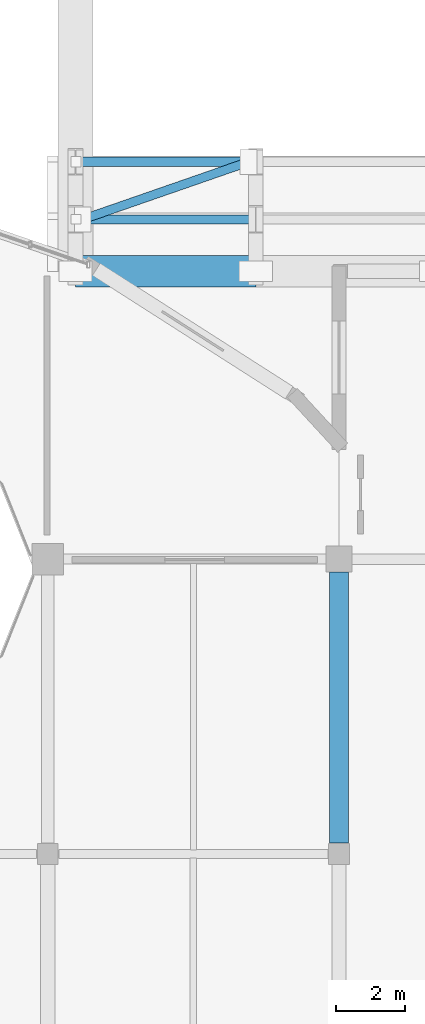
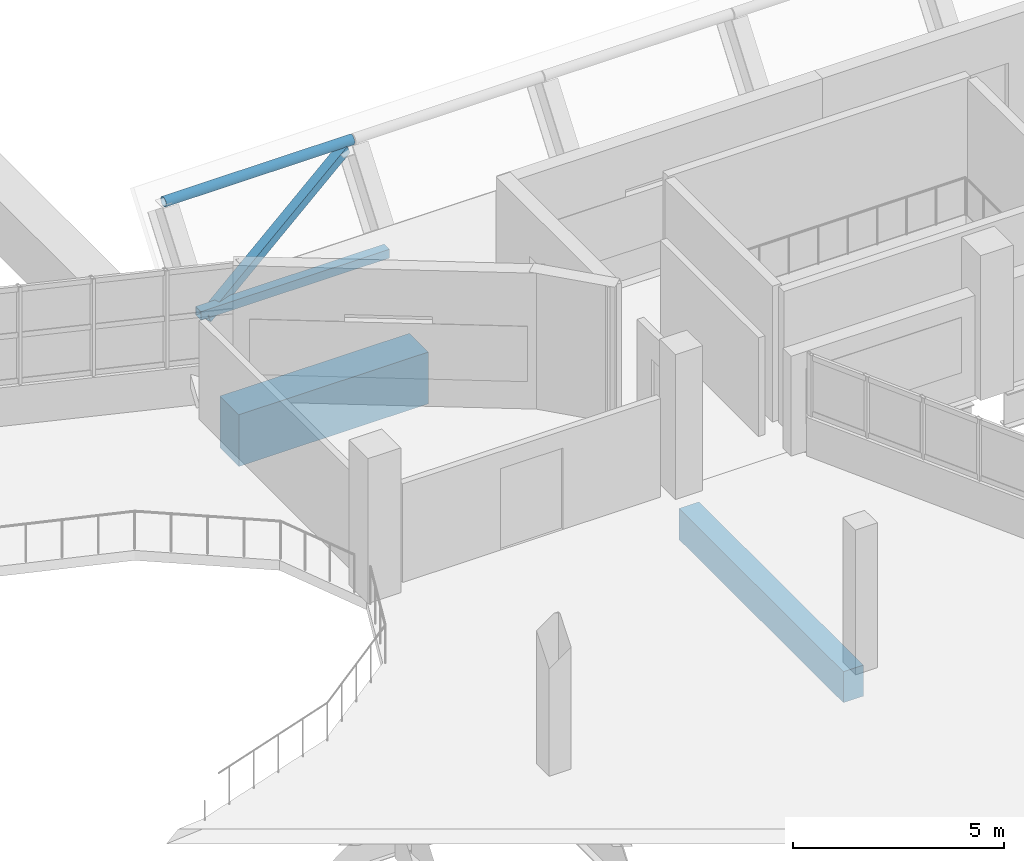
# One storey, part 27 of 52: 3 members, 2 beams.
"""IFC4 building model written with IfcOpenShell, lengths in metres."""

import ifcopenshell
import ifcopenshell.guid

model = None  # the IFC model being written
_history = None  # IfcOwnerHistory: only IFC2X3 demands one
_inside = {}  # id of a spatial element -> (the spatial element, [elements in it])
_under = {}  # id of a project, library or spatial element -> (it, [spatial elements below it])
_declared = {}  # id of a project -> (the project, [libraries it declares])
_typed = {}  # id of a type object -> (the type object, [elements of that type])
_made_of = {}  # id of a material, layer set ... -> (it, [elements and type objects made of it])


def new_model(schema):
    """Start an empty IFC model of exactly this schema.

    Asked for "IFC4X3", IfcOpenShell would pick the latest addendum, in which some entities
    have other attributes; the version numbers below select the first issue.
    IFC2X3 requires an IfcOwnerHistory on every rooted entity: one is made here for all.
    """
    global model, _history
    if schema == "IFC4X3":
        model = ifcopenshell.file(schema_version=(4, 3, 0, 0))
    else:
        model = ifcopenshell.file(schema=schema)
    _inside.clear()
    _under.clear()
    _declared.clear()
    _typed.clear()
    _made_of.clear()
    _history = None
    if model.schema == "IFC2X3":
        org = make("IfcOrganization", Name="unknown")
        user = make(
            "IfcPersonAndOrganization",
            ThePerson=make("IfcPerson", FamilyName="unknown"),
            TheOrganization=org,
        )
        app = make(
            "IfcApplication",
            ApplicationDeveloper=org,
            Version="unknown",
            ApplicationFullName="unknown",
            ApplicationIdentifier="unknown",
        )
        _history = make(
            "IfcOwnerHistory",
            OwningUser=user,
            OwningApplication=app,
            ChangeAction="ADDED",
            CreationDate=0,
        )
    return model


def make(cls, **values):
    """One entity of the class cls with the attributes given. An attribute that is None is left unset."""
    return model.create_entity(
        cls, **{name: value for name, value in values.items() if value is not None}
    )


def rooted(cls, **values):
    """An entity with a GlobalId (a new one), such as an element, a storey or a relation."""
    return make(cls, GlobalId=ifcopenshell.guid.new(), OwnerHistory=_history, **values)


def si_unit(unit_type, name, prefix=None):
    """IfcSIUnit, for example si_unit("LENGTHUNIT", "METRE", prefix="MILLI")."""
    return make("IfcSIUnit", UnitType=unit_type, Prefix=prefix, Name=name)


def assignment(units):
    """IfcUnitAssignment: the units of a project."""
    return None if units is None else make("IfcUnitAssignment", Units=units)


def point(xyz):
    """IfcCartesianPoint."""
    return None if xyz is None else make("IfcCartesianPoint", Coordinates=xyz)


def direction(xyz):
    """IfcDirection."""
    return None if xyz is None else make("IfcDirection", DirectionRatios=xyz)


def frame(location, z_axis=None, x_axis=None):
    """IfcAxis2Placement3D, a coordinate frame: its origin and axes. An axis left out is left unset."""
    return make(
        "IfcAxis2Placement3D",
        Location=point(location),
        Axis=direction(z_axis),
        RefDirection=direction(x_axis),
    )


def frame_2d(location, x_axis=None):
    """IfcAxis2Placement2D, a coordinate frame in the plane: its origin and x axis."""
    return make(
        "IfcAxis2Placement2D", Location=point(location), RefDirection=direction(x_axis)
    )


def origin():
    """The frame at (0, 0, 0) with its axes left unset."""
    return frame((0.0, 0.0, 0.0))


def origin_2d():
    """The frame at (0, 0) in the plane with its x axis left unset."""
    return frame_2d((0.0, 0.0))


def place(relative_to, where):
    """IfcLocalPlacement: puts the frame where relative to a parent placement (None: the world)."""
    return make(
        "IfcLocalPlacement", PlacementRelTo=relative_to, RelativePlacement=where
    )


def context(
    kind, dimensions, precision=None, world=None, true_north=None, identifier=None
):
    """IfcGeometricRepresentationContext, for example the 3D "Model" context."""
    return make(
        "IfcGeometricRepresentationContext",
        ContextIdentifier=identifier,
        ContextType=kind,
        CoordinateSpaceDimension=dimensions,
        Precision=precision,
        WorldCoordinateSystem=world,
        TrueNorth=true_north,
    )


def subcontext(parent, identifier, kind, view, scale=None):
    """IfcGeometricRepresentationSubContext, for example "Body" below "Model"."""
    return make(
        "IfcGeometricRepresentationSubContext",
        ContextIdentifier=identifier,
        ContextType=kind,
        ParentContext=parent,
        TargetScale=scale,
        TargetView=view,
    )


def project(units=None, contexts=None):
    """IfcProject with its units and contexts."""
    return rooted(
        "IfcProject",
        Name="project",
        RepresentationContexts=contexts,
        UnitsInContext=assignment(units),
    )


def spatial(cls, under=None, at=None, **own):
    """A site, building, storey or space (cls), placed at a placement, below another one or the project."""
    s = rooted(cls, ObjectPlacement=at, **own)
    if under is not None:
        _under.setdefault(under.id(), (under, []))[1].append(s)
    return s


def profile(cls, at=None, kind="AREA", **sizes):
    """A parametric profile (cls). Its sizes go by their IFC names, for example OverallWidth=200.0."""
    return make(cls, ProfileType=kind, Position=at, **sizes)


def rectangle(**sizes):
    """IfcRectangleProfileDef."""
    return profile("IfcRectangleProfileDef", **sizes)


def hollow_rectangle(**sizes):
    """IfcRectangleHollowProfileDef."""
    return profile("IfcRectangleHollowProfileDef", **sizes)


def hollow_circle(**sizes):
    """IfcCircleHollowProfileDef."""
    return profile("IfcCircleHollowProfileDef", **sizes)


def extrude(swept, where, along, depth):
    """IfcExtrudedAreaSolid: the profile swept, set in the frame where, extruded along a direction by depth."""
    return make(
        "IfcExtrudedAreaSolid",
        SweptArea=swept,
        Position=where,
        ExtrudedDirection=direction(along),
        Depth=depth,
    )


def shape(context_of_items, identifier, shape_type, items):
    """IfcShapeRepresentation: the items that make up one representation, for example the "Body"."""
    return make(
        "IfcShapeRepresentation",
        ContextOfItems=context_of_items,
        RepresentationIdentifier=identifier,
        RepresentationType=shape_type,
        Items=items,
    )


def material(Name=None, Category=None):
    """IfcMaterial."""
    return make("IfcMaterial", Name=Name, Category=Category)


def material_profile(
    of_material, cross_section, Name=None, Category=None, Priority=None
):
    """IfcMaterialProfile: a cross section and its material."""
    return make(
        "IfcMaterialProfile",
        Name=Name,
        Material=of_material,
        Profile=cross_section,
        Priority=Priority,
        Category=Category,
    )


def profile_set(profiles, Name=None, composite=None):
    """IfcMaterialProfileSet."""
    return make(
        "IfcMaterialProfileSet",
        Name=Name,
        MaterialProfiles=profiles,
        CompositeProfile=composite,
    )


def made_of(thing, what):
    """Note that an element or type object is made of a material, layer set ...; save() writes the relation."""
    if what is not None:
        _made_of.setdefault(what.id(), (what, []))[1].append(thing)
    return thing


def type_object(cls, material=None, **own):
    """A type object (cls), such as IfcWallType, which elements share."""
    return made_of(rooted(cls, **own), material)


def element(
    cls,
    number,
    at=None,
    inside=None,
    cuts=None,
    type_object=None,
    material=None,
    context=None,
    identifier="Body",
    shape_type=None,
    held_by="IfcProductDefinitionShape",
    body=None,
    shapes=None,
    **own,
):
    """One element of the class cls, such as IfcWall. Its Tag is "e" and its number.

    at: its placement. inside: the storey or other place that contains it. cuts: it is an
    opening in that element (IfcRelVoidsElement). A single representation is given by context,
    identifier, shape_type and body (its items); several are given by shapes. held_by: the class
    of the entity that holds the representations. save() writes the other relations.
    """
    e = rooted(cls, Tag="e%d" % number, ObjectPlacement=at, **own)
    if body is not None:
        shapes = [shape(context, identifier, shape_type, body)]
    if shapes is not None:
        e.Representation = make(held_by, Representations=shapes)
    if inside is not None:
        _inside.setdefault(inside.id(), (inside, []))[1].append(e)
    if cuts is not None:
        rooted(
            "IfcRelVoidsElement", RelatingBuildingElement=cuts, RelatedOpeningElement=e
        )
    if type_object is not None:
        _typed.setdefault(type_object.id(), (type_object, []))[1].append(e)
    return made_of(e, material)


def aggregate(whole, parts):
    """IfcRelAggregates: a whole, such as a stair, and the parts it consists of."""
    return rooted("IfcRelAggregates", RelatingObject=whole, RelatedObjects=parts)


def save(model, path):
    """Write the relations noted so far, then the file.

    IfcRelAggregates (storeys below a building ...), IfcRelContainedInSpatialStructure (elements
    in a storey), IfcRelDefinesByType, IfcRelAssociatesMaterial and IfcRelDeclares: one each for
    every whole, place, type object, material and project.
    """
    for whole, parts in _under.values():
        aggregate(whole, parts)
    for where, things in _inside.values():
        rooted(
            "IfcRelContainedInSpatialStructure",
            RelatedElements=things,
            RelatingStructure=where,
        )
    for kind, things in _typed.values():
        rooted("IfcRelDefinesByType", RelatedObjects=things, RelatingType=kind)
    for what, things in _made_of.values():
        rooted("IfcRelAssociatesMaterial", RelatedObjects=things, RelatingMaterial=what)
    for by, libraries in _declared.values():
        rooted("IfcRelDeclares", RelatingContext=by, RelatedDefinitions=libraries)
    model.write(path)


model = new_model("IFC4")

# Units and contexts
model_context = context("Model", 3, precision=1e-05, world=origin(), true_north=direction((0.0, 1.0)))
body_context = subcontext(model_context, "Body", "Model", "MODEL_VIEW")
ifc_project = project(units=[si_unit("LENGTHUNIT", "METRE"), si_unit("AREAUNIT", "SQUARE_METRE"), si_unit("VOLUMEUNIT", "CUBIC_METRE"), si_unit("PLANEANGLEUNIT", "RADIAN"), si_unit("MASSUNIT", "GRAM", prefix="KILO")], contexts=[model_context])

# Site, building, storey
site_placement = place(None, origin())
site = spatial("IfcSite", under=ifc_project, at=site_placement, CompositionType="ELEMENT")
building_placement = place(site_placement, origin())
building = spatial("IfcBuilding", under=site, at=building_placement, Name="Solvento Point Concert Hall", CompositionType="ELEMENT")
storey_placement = place(building_placement, frame((0.0, 0.0, 19.5)))
storey = spatial("IfcBuildingStorey", under=building, at=storey_placement, Name="L04", CompositionType="ELEMENT", Elevation=19.5)

# Beams
ifc_material_1 = material(Name="Concrete C40/50", Category="concrete")
ifc_material_profile_1 = material_profile(ifc_material_1, rectangle(XDim=0.89990234375, YDim=1.5, at=origin_2d()), Name="RC-ERB-900X1500")
ifc_profile_set_1 = profile_set([ifc_material_profile_1], Name="Concrete C40/50")
beam_type_1 = type_object("IfcBeamType", Name="EdgeRingBeam_900x1500", PredefinedType="SPANDREL", material=ifc_profile_set_1)
beam_1_placement = place(storey_placement, frame((75.199951171875, 50.800048828125, -0.75), z_axis=(1.0, 0.0, 0.0), x_axis=(0.0, 1.0, 0.0)))
element("IfcBeam", 1, at=beam_1_placement, inside=storey, type_object=beam_type_1, Name="Edge ring beam ERB-01 S-01", PredefinedType="SPANDREL", context=body_context, shape_type="SweptSolid", body=[
    extrude(rectangle(XDim=0.89990234375, YDim=1.5, at=origin_2d()), origin(), (0.0, 0.0, 1.0), 5.199951171875),
])
ifc_material_2 = material(Name="Concrete C35/45", Category="concrete")
ifc_material_profile_2 = material_profile(ifc_material_2, rectangle(XDim=0.550048828125, YDim=0.89990234375, at=origin_2d()), Name="RC-BM-550X900")
ifc_profile_set_2 = profile_set([ifc_material_profile_2], Name="Concrete C35/45")
beam_type_2 = type_object("IfcBeamType", Name="Girder_RC_550x900", PredefinedType="USERDEFINED", material=ifc_profile_set_2)
beam_2_placement = place(storey_placement, frame((82.800048828125, 34.319091796875, -0.743896484375), z_axis=(0.0, 1.0, 0.0), x_axis=(-1.0, 0.0, 0.0)))
element("IfcBeam", 2, at=beam_2_placement, inside=storey, type_object=beam_type_2, Name="Primary girder B-39 L04", ObjectType="GIRDER", PredefinedType="USERDEFINED", context=body_context, shape_type="SweptSolid", body=[
    extrude(rectangle(XDim=0.550048828125, YDim=0.89990234375, at=origin_2d()), origin(), (0.0, 0.0, 1.0), 7.81201171875),
])

# Members
ifc_material_3 = material(Name="Structural Steel ASTM A500 Grade C", Category="steel")
ifc_material_profile_3 = material_profile(ifc_material_3, hollow_rectangle(XDim=0.25390625, YDim=0.25390625, WallThickness=0.01171875, at=origin_2d()), Name="HSS10X10X1/2")
ifc_profile_set_3 = profile_set([ifc_material_profile_3], Name="Structural Steel ASTM A500 Grade C")
member_type_1 = type_object("IfcMemberType", Name="ShellBrace_HSS10", PredefinedType="BRACE", material=ifc_profile_set_3)
member_1_placement = place(storey_placement, frame((75.41162109375, 52.298583984375, 1.583251953125), z_axis=(0.864181511654, 0.299897396715, 0.40404438662), x_axis=(-0.3278500994, 0.944729756239, 0.0)))
element("IfcMember", 3, at=member_1_placement, inside=storey, type_object=member_type_1, Name="Acoustic shell lateral brace M", PredefinedType="BRACE", context=body_context, shape_type="SweptSolid", body=[
    extrude(hollow_rectangle(XDim=0.25390625, YDim=0.25390625, WallThickness=0.01171875, at=origin_2d()), origin(), (0.0, 0.0, 1.0), 5.527587890625),
])
ifc_material_4 = material(Name="Structural Steel ASTM A500 Grade C", Category="steel")
ifc_material_profile_4 = material_profile(ifc_material_4, hollow_circle(Radius=0.136474609375, WallThickness=0.012451171875, at=origin_2d()), Name="CHS273X12.5")
ifc_profile_set_4 = profile_set([ifc_material_profile_4], Name="Structural Steel ASTM A500 Grade C")
member_type_2 = type_object("IfcMemberType", Name="ShellPurlin_CHS273", PredefinedType="PURLIN", material=ifc_profile_set_4)
member_2_placement = place(storey_placement, frame((75.215087890625, 53.956298828125, 3.98681640625), z_axis=(1.0, 0.0, 0.0), x_axis=(0.0, 1.0, 0.0)))
element("IfcMember", 4, at=member_2_placement, inside=storey, type_object=member_type_2, Name="Acoustic shell steel purlin M-54", PredefinedType="PURLIN", context=body_context, shape_type="SweptSolid", body=[
    extrude(hollow_circle(Radius=0.136474609375, WallThickness=0.012451171875, at=origin_2d()), origin(), (0.0, 0.0, 1.0), 5.169921875),
])
ifc_material_5 = material(Name="Structural Steel ASTM A500 Grade C", Category="steel")
ifc_material_profile_5 = material_profile(ifc_material_5, hollow_rectangle(XDim=0.25390625, YDim=0.25390625, WallThickness=0.01171875, at=origin_2d()), Name="HSS10X10X1/2")
ifc_profile_set_5 = profile_set([ifc_material_profile_5], Name="Structural Steel ASTM A500 Grade C")
member_type_3 = type_object("IfcMemberType", Name="ShellPurlin_HSS10", PredefinedType="PURLIN", material=ifc_profile_set_5)
member_3_placement = place(storey_placement, frame((75.215087890625, 52.298583984375, 1.75341796875), z_axis=(1.0, 0.0, 0.0), x_axis=(0.0, 1.0, 0.0)))
element("IfcMember", 5, at=member_3_placement, inside=storey, type_object=member_type_3, Name="Acoustic shell steel purlin M-49", PredefinedType="PURLIN", context=body_context, shape_type="SweptSolid", body=[
    extrude(hollow_rectangle(XDim=0.25390625, YDim=0.25390625, WallThickness=0.01171875, at=origin_2d()), origin(), (0.0, 0.0, 1.0), 5.169921875),
])

save(model, "model.ifc")
